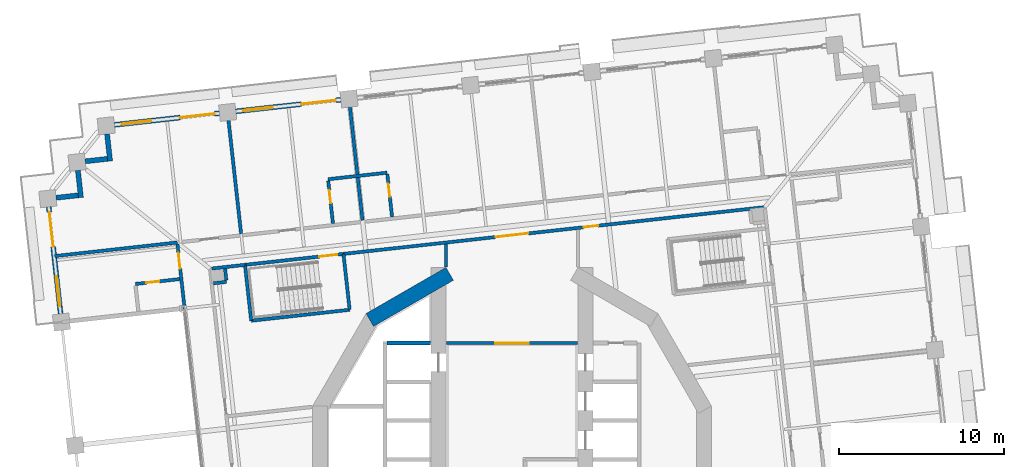
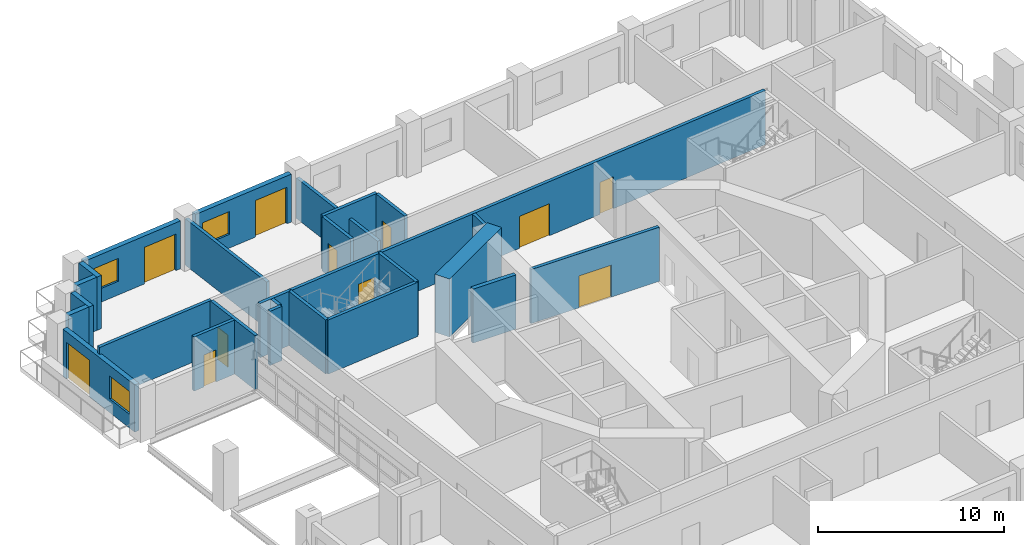
# One storey, part 11 of 21: 27 walls, 11 doors, 3 windows, 14 openings.
"""IFC4 building model written with IfcOpenShell, lengths in metres."""

from ifc_helpers import new_model, si_unit, direction, frame, frame_2d, origin, place, context, subcontext, project, spatial, rectangle, extrude, material, layer, layer_set, type_object, element, fill, save


model = new_model("IFC4")

# Units and contexts
model_context = context("Model", 3, precision=1e-05, world=origin(), true_north=direction((0.0, 1.0)))
body_context = subcontext(model_context, "Body", "Model", "MODEL_VIEW")
ifc_project = project(units=[si_unit("LENGTHUNIT", "METRE"), si_unit("AREAUNIT", "SQUARE_METRE"), si_unit("VOLUMEUNIT", "CUBIC_METRE"), si_unit("PLANEANGLEUNIT", "RADIAN"), si_unit("MASSUNIT", "GRAM", prefix="KILO")], contexts=[model_context])

# Site, building, storey
site_placement = place(None, origin())
site = spatial("IfcSite", under=ifc_project, at=site_placement, CompositionType="ELEMENT")
building_placement = place(site_placement, origin())
building = spatial("IfcBuilding", under=site, at=building_placement, Name="Cantera Rosa Tower", CompositionType="ELEMENT")
storey_placement = place(building_placement, frame((0.0, 0.0, 69.10009765625)))
storey = spatial("IfcBuildingStorey", under=building, at=storey_placement, Name="L14", CompositionType="ELEMENT", Elevation=69.10009765625)

# Wall, opening, door
ifc_material_1 = material(Name="Gypsum board partition")
ifc_layer_1 = layer(ifc_material_1, 0.199951171875)
ifc_layer_set_1 = layer_set([ifc_layer_1], Name="CORRIDOR WALL 200 H3550")
wall_type_1 = type_object("IfcWallType", Name="CORRIDOR WALL 200 H3550", PredefinedType="PARTITIONING", material=ifc_layer_set_1)
wall_1_placement = place(storey_placement, frame((-20.2626953125, 13.04443359375, 0.0), z_axis=(0.0, 0.0, 1.0), x_axis=(0.110332157686, -0.993894770577, 0.0)))
wall_1 = element("IfcWall", 1, at=wall_1_placement, inside=storey, type_object=wall_type_1, Name="CORRIDOR WALL L14-007", PredefinedType="PARTITIONING", context=body_context, shape_type="SweptSolid", body=[
    extrude(rectangle(XDim=4.044921875, YDim=0.199951171875, at=frame_2d((2.0224609375, 0.0))), origin(), (0.0, 0.0, 1.0), 3.5498046875),
])
opening_1_placement = place(wall_1_placement, frame((0.534912109375, 0.0, 0.0)))
opening_1 = element("IfcOpeningElement", 2, at=opening_1_placement, cuts=wall_1, Name="Opening L14-033", PredefinedType="OPENING", context=body_context, shape_type="SweptSolid", body=[
    extrude(rectangle(XDim=0.949951171875, YDim=2.10009765625, at=frame_2d((0.47509765625, 1.050048828125))), frame((0.0, 0.10986328125, 0.0), z_axis=(0.0, -1.0, 0.0), x_axis=(1.0, 0.0, 0.0)), (0.0, 0.0, 1.0), 0.219970703125),
])
ifc_material_2 = material(Name="Timber door leaf", Category="wood")
door_type_1 = type_object("IfcDoorType", Name="ROOM DOOR 950x2100", OperationType="NOTDEFINED", PredefinedType="DOOR", material=ifc_material_2)
door_1_placement = place(opening_1_placement, origin())
door_1 = element("IfcDoor", 3, at=door_1_placement, inside=storey, type_object=door_type_1, Name="DOOR L14-033", OperationType="NOTDEFINED", OverallHeight=2.10009765625, OverallWidth=0.949951171875, PredefinedType="DOOR", context=body_context, shape_type="SweptSolid", body=[
    extrude(rectangle(XDim=0.949951171875, YDim=2.10009765625, at=frame_2d((0.47509765625, 1.050048828125))), frame((0.0, 0.02490234375, 0.0), z_axis=(0.0, -1.0, 0.0), x_axis=(1.0, 0.0, 0.0)), (0.0, 0.0, 1.0), 0.050048828125),
])
fill(opening_1, door_1)

# Walls
wall_2_placement = place(storey_placement, frame((-16.172607421875, 11.787841796875, 0.0), z_axis=(0.0, 0.0, 1.0), x_axis=(-0.993905752705, -0.110233183482, 0.0)))
element("IfcWall", 4, at=wall_2_placement, inside=storey, type_object=wall_type_1, Name="CORRIDOR WALL L14-017", PredefinedType="PARTITIONING", context=body_context, shape_type="SweptSolid", body=[
    extrude(rectangle(XDim=2.026611328125, YDim=0.199951171875, at=frame_2d((1.01318359375, 0.0))), origin(), (0.0, 0.0, 1.0), 3.5498046875),
])
wall_3_placement = place(storey_placement, frame((-4.0, 13.038818359375, 0.0), z_axis=(0.0, 0.0, 1.0), x_axis=(0.0, -1.0, 0.0)))
element("IfcWall", 5, at=wall_3_placement, inside=storey, type_object=wall_type_1, Name="CORRIDOR WALL L14-051", PredefinedType="PARTITIONING", context=body_context, shape_type="SweptSolid", body=[
    extrude(rectangle(XDim=1.37158203125, YDim=0.199951171875, at=frame_2d((0.685791015625, 0.0))), origin(), (0.0, 0.0, 1.0), 3.5498046875),
])

# Wall, opening, door
wall_4_placement = place(storey_placement, frame((-3.969970703125, 7.050048828125, 0.0), z_axis=(0.0, 0.0, 1.0), x_axis=(1.0, 0.0, 0.0)))
wall_4 = element("IfcWall", 6, at=wall_4_placement, inside=storey, type_object=wall_type_1, Name="CORRIDOR WALL L14-052", PredefinedType="PARTITIONING", context=body_context, shape_type="SweptSolid", body=[
    extrude(rectangle(XDim=7.93994140625, YDim=0.199951171875, at=frame_2d((3.969970703125, 0.0))), origin(), (0.0, 0.0, 1.0), 3.5498046875),
])
opening_2_placement = place(wall_4_placement, frame((2.969970703125, 0.0, 0.0)))
opening_2 = element("IfcOpeningElement", 7, at=opening_2_placement, cuts=wall_4, Name="Opening L14-013", PredefinedType="OPENING", context=body_context, shape_type="SweptSolid", body=[
    extrude(rectangle(XDim=2.0, YDim=2.10009765625, at=frame_2d((1.0, 1.050048828125))), frame((0.0, 0.10986328125, 0.0), z_axis=(0.0, -1.0, 0.0), x_axis=(1.0, 0.0, 0.0)), (0.0, 0.0, 1.0), 0.219970703125),
])
ifc_material_3 = material(Name="Steel S355J2 (EN 10025-2)", Category="steel")
door_type_2 = type_object("IfcDoorType", Name="LOBBY SCREEN DOOR 2000x2100", OperationType="NOTDEFINED", PredefinedType="DOOR", material=ifc_material_3)
door_2_placement = place(opening_2_placement, origin())
door_2 = element("IfcDoor", 8, at=door_2_placement, inside=storey, type_object=door_type_2, Name="DOOR L14-013", OperationType="NOTDEFINED", OverallHeight=2.10009765625, OverallWidth=2.0, PredefinedType="DOOR", context=body_context, shape_type="SweptSolid", body=[
    extrude(rectangle(XDim=2.0, YDim=2.10009765625, at=frame_2d((1.0, 1.050048828125))), frame((0.0, 0.02490234375, 0.0), z_axis=(0.0, -1.0, 0.0), x_axis=(1.0, 0.0, 0.0)), (0.0, 0.0, 1.0), 0.050048828125),
])
fill(opening_2, door_2)

# Wall, openings, doors
wall_5_placement = place(storey_placement, frame((15.3076171875, 15.281982421875, 0.0), z_axis=(0.0, 0.0, 1.0), x_axis=(-0.993896137152, -0.110319846599, 0.0)))
wall_5 = element("IfcWall", 9, at=wall_5_placement, inside=storey, type_object=wall_type_1, Name="CORRIDOR WALL L14-085", PredefinedType="PARTITIONING", context=body_context, shape_type="SweptSolid", body=[
    extrude(rectangle(XDim=25.67333984375, YDim=0.199951171875, at=frame_2d((12.836669921875, 0.0))), origin(), (0.0, 0.0, 1.0), 3.5498046875),
])
opening_3_placement = place(wall_5_placement, frame((10.141357421875, 0.0, 0.0)))
opening_3 = element("IfcOpeningElement", 10, at=opening_3_placement, cuts=wall_5, Name="Opening L14-006", PredefinedType="OPENING", context=body_context, shape_type="SweptSolid", body=[
    extrude(rectangle(XDim=0.89990234375, YDim=2.10009765625, at=frame_2d((0.449951171875, 1.050048828125))), frame((0.0, 0.10986328125, 0.0), z_axis=(0.0, -1.0, 0.0), x_axis=(1.0, 0.0, 0.0)), (0.0, 0.0, 1.0), 0.219970703125),
])
opening_4_placement = place(wall_5_placement, frame((14.401611328125, 0.0, 0.0)))
opening_4 = element("IfcOpeningElement", 11, at=opening_4_placement, cuts=wall_5, Name="Opening L14-012", PredefinedType="OPENING", context=body_context, shape_type="SweptSolid", body=[
    extrude(rectangle(XDim=2.0, YDim=2.10009765625, at=frame_2d((1.0, 1.050048828125))), frame((0.0, 0.10986328125, 0.0), z_axis=(0.0, -1.0, 0.0), x_axis=(1.0, 0.0, 0.0)), (0.0, 0.0, 1.0), 0.219970703125),
])
door_3_placement = place(opening_4_placement, origin())
door_3 = element("IfcDoor", 12, at=door_3_placement, inside=storey, type_object=door_type_2, Name="DOOR L14-012", OperationType="NOTDEFINED", OverallHeight=2.10009765625, OverallWidth=2.0, PredefinedType="DOOR", context=body_context, shape_type="SweptSolid", body=[
    extrude(rectangle(XDim=2.0, YDim=2.10009765625, at=frame_2d((1.0, 1.050048828125))), frame((0.0, 0.02490234375, 0.0), z_axis=(0.0, -1.0, 0.0), x_axis=(1.0, 0.0, 0.0)), (0.0, 0.0, 1.0), 0.050048828125),
])
fill(opening_4, door_3)
ifc_material_4 = material(Name="Timber door leaf", Category="wood")
door_type_3 = type_object("IfcDoorType", Name="SERVICE DOOR 900x2100", OperationType="NOTDEFINED", PredefinedType="DOOR", material=ifc_material_4)
door_4_placement = place(opening_3_placement, origin())
door_4 = element("IfcDoor", 13, at=door_4_placement, inside=storey, type_object=door_type_3, Name="DOOR L14-006", OperationType="NOTDEFINED", OverallHeight=2.10009765625, OverallWidth=0.89990234375, PredefinedType="DOOR", context=body_context, shape_type="SweptSolid", body=[
    extrude(rectangle(XDim=0.89990234375, YDim=2.10009765625, at=frame_2d((0.449951171875, 1.050048828125))), frame((0.0, 0.02490234375, 0.0), z_axis=(0.0, -1.0, 0.0), x_axis=(1.0, 0.0, 0.0)), (0.0, 0.0, 1.0), 0.050048828125),
])
fill(opening_3, door_4)

# Walls
ifc_material_5 = material(Name="Hollow clay masonry with cantera stone cladding", Category="masonry")
ifc_layer_2 = layer(ifc_material_5, 0.300048828125)
ifc_layer_set_2 = layer_set([ifc_layer_2], Name="EW-LOGGIA 300")
wall_type_2 = type_object("IfcWallType", Name="EW-LOGGIA 300", PredefinedType="SOLIDWALL", material=ifc_layer_set_2)
wall_6_placement = place(storey_placement, frame((-24.5244140625, 19.71484375, 0.0), z_axis=(0.0, 0.0, 1.0), x_axis=(0.110236638423, -0.993905369514, 0.0)))
element("IfcWall", 14, at=wall_6_placement, inside=storey, type_object=wall_type_2, Name="EN-L14-W14a", PredefinedType="SOLIDWALL", context=body_context, shape_type="SweptSolid", body=[
    extrude(rectangle(XDim=1.64990234375, YDim=0.300048828125, at=frame_2d((0.824951171875, 0.0))), origin(), (0.0, 0.0, 1.0), 3.5),
])
wall_7_placement = place(storey_placement, frame((-24.508056640625, 18.20751953125, 0.0), z_axis=(0.0, 0.0, 1.0), x_axis=(-0.993896959738, -0.110312435488, 0.0)))
element("IfcWall", 15, at=wall_7_placement, inside=storey, type_object=wall_type_2, Name="EN-L14-W14b", PredefinedType="SOLIDWALL", context=body_context, shape_type="SweptSolid", body=[
    extrude(rectangle(XDim=1.35009765625, YDim=0.300048828125, at=frame_2d((0.675048828125, 0.0))), origin(), (0.0, 0.0, 1.0), 3.5),
])
wall_8_placement = place(storey_placement, frame((-26.291748046875, 17.506591796875, 0.0), z_axis=(0.0, 0.0, 1.0), x_axis=(0.110382805355, -0.993889146878, 0.0)))
element("IfcWall", 16, at=wall_8_placement, inside=storey, type_object=wall_type_2, Name="EN-L14-W15a", PredefinedType="SOLIDWALL", context=body_context, shape_type="SweptSolid", body=[
    extrude(rectangle(XDim=1.64990234375, YDim=0.300048828125, at=frame_2d((0.824951171875, 0.0))), origin(), (0.0, 0.0, 1.0), 3.5),
])
wall_9_placement = place(storey_placement, frame((-26.275146484375, 15.999267578125, 0.0), z_axis=(0.0, 0.0, 1.0), x_axis=(-0.993896959738, -0.110312435488, 0.0)))
element("IfcWall", 17, at=wall_9_placement, inside=storey, type_object=wall_type_2, Name="EN-L14-W15b", PredefinedType="SOLIDWALL", context=body_context, shape_type="SweptSolid", body=[
    extrude(rectangle(XDim=1.35009765625, YDim=0.300048828125, at=frame_2d((0.675048828125, 0.0))), origin(), (0.0, 0.0, 1.0), 3.5),
])

# Wall, openings, window, door
ifc_material_6 = material(Name="Hollow clay masonry with cantera stone cladding", Category="masonry")
ifc_layer_3 = layer(ifc_material_6, 0.300048828125)
ifc_layer_set_3 = layer_set([ifc_layer_3], Name="EW-LOGGIA 300 H3090")
wall_type_3 = type_object("IfcWallType", Name="EW-LOGGIA 300 H3090", PredefinedType="SOLIDWALL", material=ifc_layer_set_3)
wall_10_placement = place(storey_placement, frame((-28.058837890625, 15.298095703125, 0.0), z_axis=(0.0, 0.0, 1.0), x_axis=(0.110312341265, -0.993896970196, 0.0)))
wall_10 = element("IfcWall", 18, at=wall_10_placement, inside=storey, type_object=wall_type_3, Name="EN-L14-W16", PredefinedType="SOLIDWALL", context=body_context, shape_type="SweptSolid", body=[
    extrude(rectangle(XDim=6.52001953125, YDim=0.300048828125, at=frame_2d((3.260009765625, 0.0))), origin(), (0.0, 0.0, 1.0), 3.08984375),
])
opening_5_placement = place(wall_10_placement, frame((0.330078125, 0.0, 0.0)))
opening_5 = element("IfcOpeningElement", 19, at=opening_5_placement, cuts=wall_10, Name="Opening L14-TD23", PredefinedType="OPENING", context=body_context, shape_type="SweptSolid", body=[
    extrude(rectangle(XDim=2.10009765625, YDim=2.39990234375, at=frame_2d((1.050048828125, 1.199951171875))), frame((0.0, 0.159912109375, 0.0), z_axis=(0.0, -1.0, 0.0), x_axis=(1.0, 0.0, 0.0)), (0.0, 0.0, 1.0), 0.320068359375),
])
opening_6_placement = place(wall_10_placement, frame((4.239990234375, 0.0, 0.89990234375)))
opening_6 = element("IfcOpeningElement", 20, at=opening_6_placement, cuts=wall_10, Name="Opening L14-W24", PredefinedType="OPENING", context=body_context, shape_type="SweptSolid", body=[
    extrude(rectangle(XDim=1.800048828125, YDim=1.5, at=frame_2d((0.89990234375, 0.75))), frame((0.0, 0.159912109375, 0.0), z_axis=(0.0, -1.0, 0.0), x_axis=(1.0, 0.0, 0.0)), (0.0, 0.0, 1.0), 0.320068359375),
])
ifc_material_7 = material(Name="Aluminium frame with clear glass", Category="aluminium")
window_type = type_object("IfcWindowType", Name="Hotel room window 1800x1500", PartitioningType="DOUBLE_PANEL_VERTICAL", PredefinedType="WINDOW", material=ifc_material_7)
window_1_placement = place(opening_6_placement, origin())
window_1 = element("IfcWindow", 21, at=window_1_placement, inside=storey, type_object=window_type, Name="WINDOW L14-W24", OverallHeight=1.5, OverallWidth=1.800048828125, PartitioningType="SINGLE_PANEL", PredefinedType="WINDOW", context=body_context, shape_type="SweptSolid", body=[
    extrude(rectangle(XDim=1.800048828125, YDim=1.5, at=frame_2d((0.89990234375, 0.75))), frame((0.0, 0.030029296875, 0.0), z_axis=(0.0, -1.0, 0.0), x_axis=(1.0, 0.0, 0.0)), (0.0, 0.0, 1.0), 0.06005859375),
])
fill(opening_6, window_1)
ifc_material_8 = material(Name="Aluminium frame with clear glass", Category="aluminium")
door_type_4 = type_object("IfcDoorType", Name="TD-H 2100x2400", OperationType="NOTDEFINED", PredefinedType="DOOR", material=ifc_material_8)
door_5_placement = place(opening_5_placement, origin())
door_5 = element("IfcDoor", 22, at=door_5_placement, inside=storey, type_object=door_type_4, Name="LOGGIA DOOR L14-TD23", OperationType="SLIDING_TO_LEFT", OverallHeight=2.39990234375, OverallWidth=2.10009765625, PredefinedType="DOOR", context=body_context, shape_type="SweptSolid", body=[
    extrude(rectangle(XDim=2.10009765625, YDim=2.39990234375, at=frame_2d((1.050048828125, 1.199951171875))), frame((0.0, 0.02490234375, 0.0), z_axis=(0.0, -1.0, 0.0), x_axis=(1.0, 0.0, 0.0)), (0.0, 0.0, 1.0), 0.050048828125),
])
fill(opening_5, door_5)

ifc_material_9 = material(Name="Hollow clay masonry with cantera stone cladding", Category="masonry")
ifc_layer_4 = layer(ifc_material_9, 0.300048828125)
ifc_layer_set_4 = layer_set([ifc_layer_4], Name="EW-LOGGIA 300 H3140")
wall_type_4 = type_object("IfcWallType", Name="EW-LOGGIA 300 H3140", PredefinedType="SOLIDWALL", material=ifc_layer_set_4)
wall_11_placement = place(storey_placement, frame((-10.366943359375, 21.789306640625, 0.0), z_axis=(0.0, 0.0, 1.0), x_axis=(-0.993900006422, -0.110284981906, 0.0)))
wall_11 = element("IfcWall", 23, at=wall_11_placement, inside=storey, type_object=wall_type_4, Name="EN-L14-W12", PredefinedType="SOLIDWALL", context=body_context, shape_type="SweptSolid", body=[
    extrude(rectangle(XDim=6.39990234375, YDim=0.300048828125, at=frame_2d((3.199951171875, 0.0))), origin(), (0.0, 0.0, 1.0), 3.139892578125),
])
opening_7_placement = place(wall_11_placement, frame((0.300048828125, 0.0, 0.0)))
opening_7 = element("IfcOpeningElement", 24, at=opening_7_placement, cuts=wall_11, Name="Opening L14-TD19", PredefinedType="OPENING", context=body_context, shape_type="SweptSolid", body=[
    extrude(rectangle(XDim=2.10009765625, YDim=2.39990234375, at=frame_2d((1.050048828125, 1.199951171875))), frame((0.0, 0.159912109375, 0.0), z_axis=(0.0, -1.0, 0.0), x_axis=(1.0, 0.0, 0.0)), (0.0, 0.0, 1.0), 0.320068359375),
])
opening_8_placement = place(wall_11_placement, frame((4.14990234375, 0.0, 0.89990234375)))
opening_8 = element("IfcOpeningElement", 25, at=opening_8_placement, cuts=wall_11, Name="Opening L14-W20", PredefinedType="OPENING", context=body_context, shape_type="SweptSolid", body=[
    extrude(rectangle(XDim=1.800048828125, YDim=1.5, at=frame_2d((0.89990234375, 0.75))), frame((0.0, 0.159912109375, 0.0), z_axis=(0.0, -1.0, 0.0), x_axis=(1.0, 0.0, 0.0)), (0.0, 0.0, 1.0), 0.320068359375),
])
window_2_placement = place(opening_8_placement, origin())
window_2 = element("IfcWindow", 26, at=window_2_placement, inside=storey, type_object=window_type, Name="WINDOW L14-W20", OverallHeight=1.5, OverallWidth=1.800048828125, PartitioningType="SINGLE_PANEL", PredefinedType="WINDOW", context=body_context, shape_type="SweptSolid", body=[
    extrude(rectangle(XDim=1.800048828125, YDim=1.5, at=frame_2d((0.89990234375, 0.75))), frame((0.0, 0.030029296875, 0.0), z_axis=(0.0, -1.0, 0.0), x_axis=(1.0, 0.0, 0.0)), (0.0, 0.0, 1.0), 0.06005859375),
])
fill(opening_8, window_2)
door_6_placement = place(opening_7_placement, origin())
door_6 = element("IfcDoor", 27, at=door_6_placement, inside=storey, type_object=door_type_4, Name="LOGGIA DOOR L14-TD19", OperationType="SLIDING_TO_LEFT", OverallHeight=2.39990234375, OverallWidth=2.10009765625, PredefinedType="DOOR", context=body_context, shape_type="SweptSolid", body=[
    extrude(rectangle(XDim=2.10009765625, YDim=2.39990234375, at=frame_2d((1.050048828125, 1.199951171875))), frame((0.0, 0.02490234375, 0.0), z_axis=(0.0, -1.0, 0.0), x_axis=(1.0, 0.0, 0.0)), (0.0, 0.0, 1.0), 0.050048828125),
])
fill(opening_7, door_6)

wall_12_placement = place(storey_placement, frame((-17.7216796875, 20.97314453125, 0.0), z_axis=(0.0, 0.0, 1.0), x_axis=(-0.993896288542, -0.110318482689, 0.0)))
wall_12 = element("IfcWall", 28, at=wall_12_placement, inside=storey, type_object=wall_type_4, Name="EN-L14-W13", PredefinedType="SOLIDWALL", context=body_context, shape_type="SweptSolid", body=[
    extrude(rectangle(XDim=6.400146484375, YDim=0.300048828125, at=frame_2d((3.2001953125, 0.0))), origin(), (0.0, 0.0, 1.0), 3.139892578125),
])
opening_9_placement = place(wall_12_placement, frame((0.300048828125, 0.0, 0.0)))
opening_9 = element("IfcOpeningElement", 29, at=opening_9_placement, cuts=wall_12, Name="Opening L14-TD21", PredefinedType="OPENING", context=body_context, shape_type="SweptSolid", body=[
    extrude(rectangle(XDim=2.10009765625, YDim=2.39990234375, at=frame_2d((1.050048828125, 1.199951171875))), frame((0.0, 0.159912109375, 0.0), z_axis=(0.0, -1.0, 0.0), x_axis=(1.0, 0.0, 0.0)), (0.0, 0.0, 1.0), 0.320068359375),
])
opening_10_placement = place(wall_12_placement, frame((4.14990234375, 0.0, 0.89990234375)))
opening_10 = element("IfcOpeningElement", 30, at=opening_10_placement, cuts=wall_12, Name="Opening L14-W22", PredefinedType="OPENING", context=body_context, shape_type="SweptSolid", body=[
    extrude(rectangle(XDim=1.800048828125, YDim=1.5, at=frame_2d((0.89990234375, 0.75))), frame((0.0, 0.159912109375, 0.0), z_axis=(0.0, -1.0, 0.0), x_axis=(1.0, 0.0, 0.0)), (0.0, 0.0, 1.0), 0.320068359375),
])
window_3_placement = place(opening_10_placement, origin())
window_3 = element("IfcWindow", 31, at=window_3_placement, inside=storey, type_object=window_type, Name="WINDOW L14-W22", OverallHeight=1.5, OverallWidth=1.800048828125, PartitioningType="SINGLE_PANEL", PredefinedType="WINDOW", context=body_context, shape_type="SweptSolid", body=[
    extrude(rectangle(XDim=1.800048828125, YDim=1.5, at=frame_2d((0.89990234375, 0.75))), frame((0.0, 0.030029296875, 0.0), z_axis=(0.0, -1.0, 0.0), x_axis=(1.0, 0.0, 0.0)), (0.0, 0.0, 1.0), 0.06005859375),
])
fill(opening_10, window_3)
door_7_placement = place(opening_9_placement, origin())
door_7 = element("IfcDoor", 32, at=door_7_placement, inside=storey, type_object=door_type_4, Name="LOGGIA DOOR L14-TD21", OperationType="SLIDING_TO_LEFT", OverallHeight=2.39990234375, OverallWidth=2.10009765625, PredefinedType="DOOR", context=body_context, shape_type="SweptSolid", body=[
    extrude(rectangle(XDim=2.10009765625, YDim=2.39990234375, at=frame_2d((1.050048828125, 1.199951171875))), frame((0.0, 0.02490234375, 0.0), z_axis=(0.0, -1.0, 0.0), x_axis=(1.0, 0.0, 0.0)), (0.0, 0.0, 1.0), 0.050048828125),
])
fill(opening_9, door_7)

# Wall, opening, door
ifc_material_10 = material(Name="Gypsum board partition")
ifc_layer_5 = layer(ifc_material_10, 0.199951171875)
ifc_layer_set_5 = layer_set([ifc_layer_5], Name="PARTITION 200 H3550")
wall_type_5 = type_object("IfcWallType", Name="PARTITION 200 H3550", PredefinedType="PARTITIONING", material=ifc_layer_set_5)
wall_13_placement = place(storey_placement, frame((-22.811767578125, 10.62841796875, 0.0), z_axis=(0.0, 0.0, 1.0), x_axis=(0.993896959738, 0.110312435488, 0.0)))
wall_13 = element("IfcWall", 33, at=wall_13_placement, inside=storey, type_object=wall_type_5, Name="PARTITION L14-003", PredefinedType="PARTITIONING", context=body_context, shape_type="SweptSolid", body=[
    extrude(rectangle(XDim=2.699951171875, YDim=0.199951171875, at=frame_2d((1.35009765625, 0.0))), origin(), (0.0, 0.0, 1.0), 3.5498046875),
])
opening_11_placement = place(wall_13_placement, frame((0.6640625, 0.0, 0.0)))
opening_11 = element("IfcOpeningElement", 34, at=opening_11_placement, cuts=wall_13, Name="Opening L14-034", PredefinedType="OPENING", context=body_context, shape_type="SweptSolid", body=[
    extrude(rectangle(XDim=0.800048828125, YDim=2.10009765625, at=frame_2d((0.39990234375, 1.050048828125))), frame((0.0, 0.10986328125, 0.0), z_axis=(0.0, -1.0, 0.0), x_axis=(1.0, 0.0, 0.0)), (0.0, 0.0, 1.0), 0.219970703125),
])
ifc_material_11 = material(Name="Timber door leaf", Category="wood")
door_type_5 = type_object("IfcDoorType", Name="BATHROOM DOOR 800x2100", OperationType="NOTDEFINED", PredefinedType="DOOR", material=ifc_material_11)
door_8_placement = place(opening_11_placement, origin())
door_8 = element("IfcDoor", 35, at=door_8_placement, inside=storey, type_object=door_type_5, Name="DOOR L14-034", OperationType="NOTDEFINED", OverallHeight=2.10009765625, OverallWidth=0.800048828125, PredefinedType="DOOR", context=body_context, shape_type="SweptSolid", body=[
    extrude(rectangle(XDim=0.800048828125, YDim=2.10009765625, at=frame_2d((0.39990234375, 1.050048828125))), frame((0.0, 0.02490234375, 0.0), z_axis=(0.0, -1.0, 0.0), x_axis=(1.0, 0.0, 0.0)), (0.0, 0.0, 1.0), 0.050048828125),
])
fill(opening_11, door_8)

# Walls
wall_14_placement = place(storey_placement, frame((-18.08740234375, 10.669921875, 0.0), z_axis=(0.0, 0.0, 1.0), x_axis=(0.993913470482, 0.110163574714, 0.0)))
element("IfcWall", 36, at=wall_14_placement, inside=storey, type_object=wall_type_5, Name="PARTITION L14-012", PredefinedType="PARTITIONING", context=body_context, shape_type="SweptSolid", body=[
    extrude(rectangle(XDim=0.800048828125, YDim=0.199951171875, at=frame_2d((0.39990234375, 0.0))), origin(), (0.0, 0.0, 1.0), 3.5498046875),
])
wall_15_placement = place(storey_placement, frame((-17.30322265625, 10.857421875, 0.0), z_axis=(0.0, 0.0, 1.0), x_axis=(-0.110546349969, 0.993870969748, 0.0)))
element("IfcWall", 37, at=wall_15_placement, inside=storey, type_object=wall_type_5, Name="PARTITION L14-014", PredefinedType="PARTITIONING", context=body_context, shape_type="SweptSolid", body=[
    extrude(rectangle(XDim=0.7001953125, YDim=0.199951171875, at=frame_2d((0.35009765625, 0.0))), origin(), (0.0, 0.0, 1.0), 3.5498046875),
])
wall_16_placement = place(storey_placement, frame((-11.140380859375, 16.974609375, 0.0), z_axis=(0.0, 0.0, 1.0), x_axis=(0.993893655453, 0.110342202485, 0.0)))
element("IfcWall", 38, at=wall_16_placement, inside=storey, type_object=wall_type_5, Name="PARTITION L14-029", PredefinedType="PARTITIONING", context=body_context, shape_type="SweptSolid", body=[
    extrude(rectangle(XDim=3.599853515625, YDim=0.199951171875, at=frame_2d((1.7998046875, 0.0))), origin(), (0.0, 0.0, 1.0), 3.5498046875),
])

# Wall, opening, door
wall_17_placement = place(storey_placement, frame((-10.8427734375, 14.291015625, 0.0), z_axis=(0.0, 0.0, 1.0), x_axis=(-0.110235713206, 0.993905472132, 0.0)))
wall_17 = element("IfcWall", 39, at=wall_17_placement, inside=storey, type_object=wall_type_5, Name="PARTITION L14-031", PredefinedType="PARTITIONING", context=body_context, shape_type="SweptSolid", body=[
    extrude(rectangle(XDim=2.60009765625, YDim=0.199951171875, at=frame_2d((1.300048828125, 0.0))), origin(), (0.0, 0.0, 1.0), 3.5498046875),
])
opening_12_placement = place(wall_17_placement, frame((1.236083984375, 0.0, 0.0)))
opening_12 = element("IfcOpeningElement", 40, at=opening_12_placement, cuts=wall_17, Name="Opening L14-029", PredefinedType="OPENING", context=body_context, shape_type="SweptSolid", body=[
    extrude(rectangle(XDim=0.800048828125, YDim=2.10009765625, at=frame_2d((0.39990234375, 1.050048828125))), frame((0.0, 0.10986328125, 0.0), z_axis=(0.0, -1.0, 0.0), x_axis=(1.0, 0.0, 0.0)), (0.0, 0.0, 1.0), 0.219970703125),
])
door_9_placement = place(opening_12_placement, origin())
door_9 = element("IfcDoor", 41, at=door_9_placement, inside=storey, type_object=door_type_5, Name="DOOR L14-029", OperationType="NOTDEFINED", OverallHeight=2.10009765625, OverallWidth=0.800048828125, PredefinedType="DOOR", context=body_context, shape_type="SweptSolid", body=[
    extrude(rectangle(XDim=0.800048828125, YDim=2.10009765625, at=frame_2d((0.39990234375, 1.050048828125))), frame((0.0, 0.02490234375, 0.0), z_axis=(0.0, -1.0, 0.0), x_axis=(1.0, 0.0, 0.0)), (0.0, 0.0, 1.0), 0.050048828125),
])
fill(opening_12, door_9)

wall_18_placement = place(storey_placement, frame((-7.551513671875, 17.2724609375, 0.0), z_axis=(0.0, 0.0, 1.0), x_axis=(0.110328468272, -0.993895180132, 0.0)))
wall_18 = element("IfcWall", 42, at=wall_18_placement, inside=storey, type_object=wall_type_5, Name="PARTITION L14-047", PredefinedType="PARTITIONING", context=body_context, shape_type="SweptSolid", body=[
    extrude(rectangle(XDim=2.60009765625, YDim=0.199951171875, at=frame_2d((1.300048828125, 0.0))), origin(), (0.0, 0.0, 1.0), 3.5498046875),
])
opening_13_placement = place(wall_18_placement, frame((0.56396484375, 0.0, 0.0)))
opening_13 = element("IfcOpeningElement", 43, at=opening_13_placement, cuts=wall_18, Name="Opening L14-027", PredefinedType="OPENING", context=body_context, shape_type="SweptSolid", body=[
    extrude(rectangle(XDim=0.800048828125, YDim=2.10009765625, at=frame_2d((0.39990234375, 1.050048828125))), frame((0.0, 0.10986328125, 0.0), z_axis=(0.0, -1.0, 0.0), x_axis=(1.0, 0.0, 0.0)), (0.0, 0.0, 1.0), 0.219970703125),
])
door_10_placement = place(opening_13_placement, origin())
door_10 = element("IfcDoor", 44, at=door_10_placement, inside=storey, type_object=door_type_5, Name="DOOR L14-027", OperationType="NOTDEFINED", OverallHeight=2.10009765625, OverallWidth=0.800048828125, PredefinedType="DOOR", context=body_context, shape_type="SweptSolid", body=[
    extrude(rectangle(XDim=0.800048828125, YDim=2.10009765625, at=frame_2d((0.39990234375, 1.050048828125))), frame((0.0, 0.02490234375, 0.0), z_axis=(0.0, -1.0, 0.0), x_axis=(1.0, 0.0, 0.0)), (0.0, 0.0, 1.0), 0.050048828125),
])
fill(opening_13, door_10)

# Walls
ifc_material_12 = material(Name="Gypsum board partition")
ifc_layer_6 = layer(ifc_material_12, 0.199951171875)
ifc_layer_set_6 = layer_set([ifc_layer_6], Name="PARTY WALL 200 H2650")
wall_type_6 = type_object("IfcWallType", Name="PARTY WALL 200 H2650", PredefinedType="PARTITIONING", material=ifc_layer_set_6)
wall_19_placement = place(storey_placement, frame((-9.0537109375, 14.48974609375, 0.0), z_axis=(0.0, 0.0, 1.0), x_axis=(-0.11031154238, 0.993897058864, 0.0)))
element("IfcWall", 45, at=wall_19_placement, inside=storey, type_object=wall_type_6, Name="PARTY WALL L14-037", PredefinedType="PARTITIONING", context=body_context, shape_type="SweptSolid", body=[
    extrude(rectangle(XDim=7.369873046875, YDim=0.199951171875, at=frame_2d((3.68505859375, 0.0))), origin(), (0.0, 0.0, 1.0), 2.64990234375),
])
ifc_material_13 = material(Name="Gypsum board partition")
ifc_layer_7 = layer(ifc_material_13, 0.199951171875)
ifc_layer_set_7 = layer_set([ifc_layer_7], Name="PARTY WALL 200 H3050")
wall_type_7 = type_object("IfcWallType", Name="PARTY WALL 200 H3050", PredefinedType="PARTITIONING", material=ifc_layer_set_7)
wall_20_placement = place(storey_placement, frame((-16.408447265625, 13.67333984375, 0.0), z_axis=(0.0, 0.0, 1.0), x_axis=(-0.11031154238, 0.993897058864, 0.0)))
element("IfcWall", 46, at=wall_20_placement, inside=storey, type_object=wall_type_7, Name="PARTY WALL L14-016", PredefinedType="PARTITIONING", context=body_context, shape_type="SweptSolid", body=[
    extrude(rectangle(XDim=7.369873046875, YDim=0.199951171875, at=frame_2d((3.68505859375, 0.0))), origin(), (0.0, 0.0, 1.0), 3.0498046875),
])
ifc_material_14 = material(Name="Gypsum board partition")
ifc_layer_8 = layer(ifc_material_14, 0.199951171875)
ifc_layer_set_8 = layer_set([ifc_layer_8], Name="PARTY WALL 200 H3550")
wall_type_8 = type_object("IfcWallType", Name="PARTY WALL 200 H3550", PredefinedType="PARTITIONING", material=ifc_layer_set_8)
wall_21_placement = place(storey_placement, frame((-20.273681640625, 13.143798828125, 0.0), z_axis=(0.0, 0.0, 1.0), x_axis=(-0.993894093242, -0.110338259085, 0.0)))
element("IfcWall", 47, at=wall_21_placement, inside=storey, type_object=wall_type_8, Name="PARTY WALL L14-006", PredefinedType="PARTITIONING", context=body_context, shape_type="SweptSolid", body=[
    extrude(rectangle(XDim=7.469970703125, YDim=0.199951171875, at=frame_2d((3.73486328125, 0.0))), origin(), (0.0, 0.0, 1.0), 3.5498046875),
])
ifc_material_15 = material(Name="Concrete C70/85", Category="concrete")
ifc_layer_9 = layer(ifc_material_15, 0.89990234375)
ifc_layer_set_9 = layer_set([ifc_layer_9], Name="RC CORE WALL 900 C70/85")
wall_type_9 = type_object("IfcWallType", Name="RC CORE WALL 900 C70/85", PredefinedType="SHEAR", material=ifc_layer_set_9)
wall_22_placement = place(storey_placement, frame((-8.61376953125, 8.44921875, 0.0), z_axis=(0.0, 0.0, 1.0), x_axis=(0.866026961591, 0.49999730179, 0.0)))
element("IfcWall", 48, at=wall_22_placement, inside=storey, type_object=wall_type_9, Name="CW-W5 L14", PredefinedType="SHEAR", context=body_context, shape_type="SweptSolid", body=[
    extrude(rectangle(XDim=5.58740234375, YDim=0.89990234375, at=frame_2d((2.793701171875, 0.0))), origin(), (0.0, 0.0, 1.0), 3.7998046875),
])
ifc_material_16 = material(Name="Masonry blockwork", Category="masonry")
ifc_layer_10 = layer(ifc_material_16, 0.25)
ifc_layer_set_10 = layer_set([ifc_layer_10], Name="SHAFT WALL 250 H3550")
wall_type_10 = type_object("IfcWallType", Name="SHAFT WALL 250 H3550", PredefinedType="SOLIDWALL", material=ifc_layer_set_10)
wall_23_placement = place(storey_placement, frame((-4.929931640625, 7.050048828125, 0.0), z_axis=(0.0, 0.0, 1.0), x_axis=(-1.0, 0.0, 0.0)))
element("IfcWall", 49, at=wall_23_placement, inside=storey, type_object=wall_type_10, Name="SHAFT WALL L14-048", PredefinedType="SOLIDWALL", context=body_context, shape_type="SweptSolid", body=[
    extrude(rectangle(XDim=2.650146484375, YDim=0.25, at=frame_2d((1.3251953125, 0.0))), origin(), (0.0, 0.0, 1.0), 3.5498046875),
])
ifc_material_17 = material(Name="Concrete C50/60", Category="concrete")
ifc_layer_11 = layer(ifc_material_17, 0.199951171875)
ifc_layer_set_11 = layer_set([ifc_layer_11], Name="STAIR WALL 200 H3550")
wall_type_11 = type_object("IfcWallType", Name="STAIR WALL 200 H3550", PredefinedType="SOLIDWALL", material=ifc_layer_set_11)
wall_24_placement = place(storey_placement, frame((-16.172607421875, 11.787841796875, 0.0), z_axis=(0.0, 0.0, 1.0), x_axis=(0.110368557057, -0.993890729212, 0.0)))
element("IfcWall", 50, at=wall_24_placement, inside=storey, type_object=wall_type_11, Name="STAIR WALL L14-018", PredefinedType="SOLIDWALL", context=body_context, shape_type="SweptSolid", body=[
    extrude(rectangle(XDim=3.404296875, YDim=0.199951171875, at=frame_2d((1.7021484375, 0.0))), origin(), (0.0, 0.0, 1.0), 3.5498046875),
])
wall_25_placement = place(storey_placement, frame((-15.796875, 8.404296875, 0.0), z_axis=(0.0, 0.0, 1.0), x_axis=(0.993897125329, 0.110310943534, 0.0)))
element("IfcWall", 51, at=wall_25_placement, inside=storey, type_object=wall_type_11, Name="STAIR WALL L14-019", PredefinedType="SOLIDWALL", context=body_context, shape_type="SweptSolid", body=[
    extrude(rectangle(XDim=6.0, YDim=0.199951171875, at=frame_2d((3.0, 0.0))), origin(), (0.0, 0.0, 1.0), 3.5498046875),
])

# Wall, opening, door
wall_26_placement = place(storey_placement, frame((-10.208984375, 12.44970703125, 0.0), z_axis=(0.0, 0.0, 1.0), x_axis=(-0.993897620437, -0.11030648254, 0.0)))
wall_26 = element("IfcWall", 52, at=wall_26_placement, inside=storey, type_object=wall_type_11, Name="STAIR WALL L14-034", PredefinedType="SOLIDWALL", context=body_context, shape_type="SweptSolid", body=[
    extrude(rectangle(XDim=6.000244140625, YDim=0.199951171875, at=frame_2d((3.0, 0.0))), origin(), (0.0, 0.0, 1.0), 3.5498046875),
])
opening_14_placement = place(wall_26_placement, frame((0.375, 0.0, 0.0)))
opening_14 = element("IfcOpeningElement", 53, at=opening_14_placement, cuts=wall_26, Name="Opening L14-002", PredefinedType="OPENING", context=body_context, shape_type="SweptSolid", body=[
    extrude(rectangle(XDim=1.10009765625, YDim=2.10009765625, at=frame_2d((0.550048828125, 1.050048828125))), frame((0.0, 0.10986328125, 0.0), z_axis=(0.0, -1.0, 0.0), x_axis=(1.0, 0.0, 0.0)), (0.0, 0.0, 1.0), 0.219970703125),
])
ifc_material_18 = material(Name="Steel S355J2 (EN 10025-2)", Category="steel")
door_type_6 = type_object("IfcDoorType", Name="STAIR DOOR 1100x2100", OperationType="NOTDEFINED", PredefinedType="DOOR", material=ifc_material_18)
door_11_placement = place(opening_14_placement, origin())
door_11 = element("IfcDoor", 54, at=door_11_placement, inside=storey, type_object=door_type_6, Name="DOOR L14-002", OperationType="NOTDEFINED", OverallHeight=2.10009765625, OverallWidth=1.10009765625, PredefinedType="DOOR", context=body_context, shape_type="SweptSolid", body=[
    extrude(rectangle(XDim=1.10009765625, YDim=2.10009765625, at=frame_2d((0.550048828125, 1.050048828125))), frame((0.0, 0.02490234375, 0.0), z_axis=(0.0, -1.0, 0.0), x_axis=(1.0, 0.0, 0.0)), (0.0, 0.0, 1.0), 0.050048828125),
])
fill(opening_14, door_11)

# Wall
wall_27_placement = place(storey_placement, frame((-9.83349609375, 9.066162109375, 0.0), z_axis=(0.0, 0.0, 1.0), x_axis=(-0.110297715324, 0.993898593416, 0.0)))
element("IfcWall", 55, at=wall_27_placement, inside=storey, type_object=wall_type_11, Name="STAIR WALL L14-035", PredefinedType="SOLIDWALL", context=body_context, shape_type="SweptSolid", body=[
    extrude(rectangle(XDim=3.404296875, YDim=0.199951171875, at=frame_2d((1.7021484375, 0.0))), origin(), (0.0, 0.0, 1.0), 3.5498046875),
])

save(model, "model.ifc")
